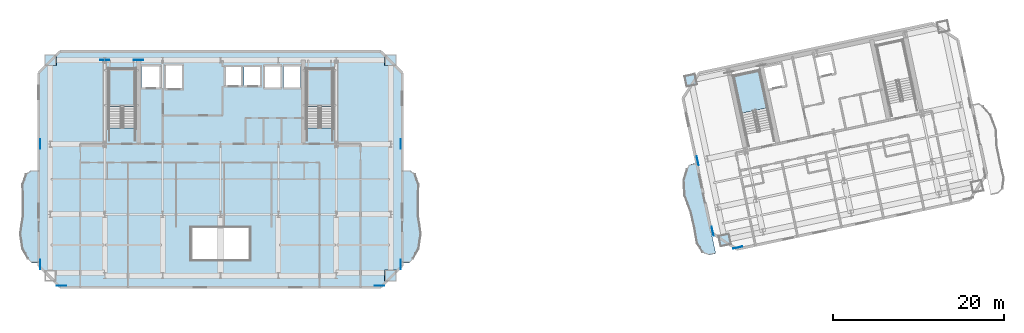
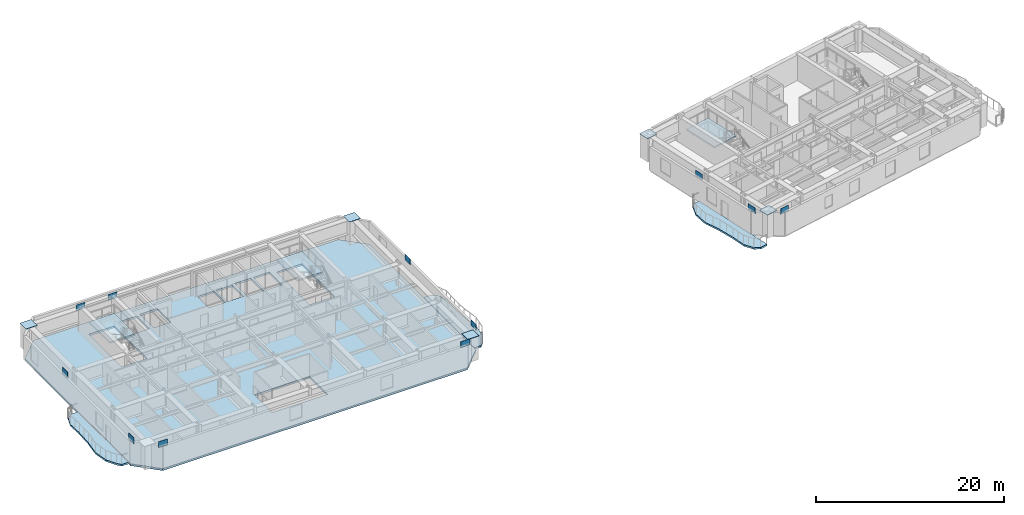
# One storey, part 5 of 15: 16 plates, 7 slabs, 3 elements without a shape of their own.
"""IFC4 building model written with IfcOpenShell, lengths in metres."""

from ifc_helpers import new_model, si_unit, direction, frame, origin, origin_2d, place, context, subcontext, project, spatial, polyline, rectangle, outline, extrude, material, layer, layer_set, type_object, element, aggregate, save


model = new_model("IFC4")

# Units and contexts
model_context = context("Model", 3, precision=1e-05, world=origin(), true_north=direction((0.0, 1.0)))
body_context = subcontext(model_context, "Body", "Model", "MODEL_VIEW")
ifc_project = project(units=[si_unit("LENGTHUNIT", "METRE"), si_unit("AREAUNIT", "SQUARE_METRE"), si_unit("VOLUMEUNIT", "CUBIC_METRE"), si_unit("PLANEANGLEUNIT", "RADIAN"), si_unit("MASSUNIT", "GRAM", prefix="KILO")], contexts=[model_context])

# Site, building, storey
site_placement = place(None, origin())
site = spatial("IfcSite", under=ifc_project, at=site_placement, CompositionType="ELEMENT")
building_placement = place(site_placement, origin())
building = spatial("IfcBuilding", under=site, at=building_placement, Name="Haevon Station Towers", CompositionType="ELEMENT")
storey_placement = place(building_placement, frame((0.0, 0.0, 152.699951171875)))
storey = spatial("IfcBuildingStorey", under=building, at=storey_placement, Name="L41", CompositionType="ELEMENT", Elevation=152.699951171875)

# Plates
ifc_material_1 = material(Name="PL-FLG1", Category="steel")
ifc_layer_1 = layer(ifc_material_1, 0.044921875)
ifc_layer_set_1 = layer_set([ifc_layer_1], Name="PL-FLG1")
plate_type_1 = type_object("IfcPlateType", Name="PL-FLG1", PredefinedType="USERDEFINED", material=ifc_layer_set_1)
for number, where, z_axis, x_axis, name in (
    (1, (17.64990234375, 48.0, 3.050048828125), (0.0, 0.0, 1.0), (1.0, 0.0, 0.0), "PL-CAP-T1-L41-01-04"),
    (2, (57.35009765625, 22.85009765625, 3.050048828125), (0.0, 0.0, 1.0), (1.0, 0.0, 0.0), "PL-CAP-T1-L41-07-01"),
    (3, (57.35009765625, 48.0, 3.050048828125), (0.0, 0.0, 1.0), (1.0, 0.0, 0.0), "PL-CAP-T1-L41-07-04"),
    (4, (96.318603515625, 27.00830078125, 3.050048828125), (0.0, 0.0, 1.0), (0.978147600734, 0.207911690818, 0.0), "PL-CAP-T2-L41-01-01"),
    (5, (92.35791015625, 45.64208984375, 3.050048828125), (0.0, 0.0, 1.0), (0.978147600734, 0.207911690818, 0.0), "PL-CAP-T2-L41-01-04"),
):
    element("IfcPlate", number, at=place(storey_placement, frame(where, z_axis=z_axis, x_axis=x_axis)), inside=storey, type_object=plate_type_1, Name=name, ObjectType="FLANGE_PLATE", PredefinedType="USERDEFINED", context=body_context, shape_type="SweptSolid", body=[
        extrude(rectangle(XDim=1.389892578125, YDim=1.2900390625, at=origin_2d()), origin(), (0.0, 0.0, 1.0), 0.0400390625),
    ])
ifc_material_2 = material(Name="PL-SPL1", Category="steel")
ifc_layer_2 = layer(ifc_material_2, 0.031982421875)
ifc_layer_set_2 = layer_set([ifc_layer_2], Name="PL-SPL1")
plate_type_2 = type_object("IfcPlateType", Name="PL-SPL1", PredefinedType="USERDEFINED", material=ifc_layer_set_2)
for number, where, z_axis, x_axis, name in (
    (6, (18.949951171875, 21.679931640625, 2.775146484375), (0.0, 0.0, 1.0), (1.0, 0.0, 0.0), "PL-T1SPL-T05-S-3"),
    (7, (56.050048828125, 21.679931640625, 2.775146484375), (0.0, 0.0, 1.0), (1.0, 0.0, 0.0), "PL-T1SPL-T05-S-4"),
    (8, (24.0, 48.0, 2.775146484375), (0.0, 0.0, 1.0), (1.0, 0.0, 0.0), "PL-T1SPL-T05-N-3"),
    (9, (27.949951171875, 48.0, 2.775146484375), (0.0, 0.0, 1.0), (1.0, 0.0, 0.0), "PL-T1SPL-T05-N-4"),
    (10, (16.47998046875, 24.14990234375, 2.775146484375), (0.0, 0.0, 1.0), (0.0, 1.0, 0.0), "PL-T1SPL-T05-W-3"),
    (11, (16.47998046875, 38.199951171875, 2.775146484375), (0.0, 0.0, 1.0), (0.0, 1.0, 0.0), "PL-T1SPL-T05-W-4"),
    (12, (58.52001953125, 24.14990234375, 2.775146484375), (0.0, 0.0, 1.0), (0.0, 1.0, 0.0), "PL-T1SPL-T05-E-3"),
    (13, (58.52001953125, 38.199951171875, 2.775146484375), (0.0, 0.0, 1.0), (0.0, 1.0, 0.0), "PL-T1SPL-T05-E-4"),
    (14, (97.833251953125, 26.13427734375, 2.775146484375), (0.0, 0.0, 1.0), (0.978147600734, 0.207911690818, 0.0), "PL-T2SPL-T05-S-3"),
    (15, (94.90380859375, 28.03662109375, 2.775146484375), (0.0, 0.0, 1.0), (-0.207911690818, 0.978147600734, 0.0), "PL-T2SPL-T05-W-3"),
    (16, (93.1572265625, 36.253173828125, 2.775146484375), (0.0, 0.0, 1.0), (-0.207911690818, 0.978147600734, 0.0), "PL-T2SPL-T05-W-4"),
):
    element("IfcPlate", number, at=place(storey_placement, frame(where, z_axis=z_axis, x_axis=x_axis)), inside=storey, type_object=plate_type_2, Name=name, ObjectType="SPLICE_PLATE", PredefinedType="USERDEFINED", context=body_context, shape_type="SweptSolid", body=[
        extrude(rectangle(XDim=1.10009765625, YDim=0.031982421875, at=origin_2d()), origin(), (0.0, 0.0, 1.0), 0.75),
    ])

# Slabs
ifc_material_3 = material(Name="Concrete C40/50", Category="concrete")
ifc_layer_3 = layer(ifc_material_3, 0.219970703125)
ifc_layer_set_3 = layer_set([ifc_layer_3], Name="Concrete C40/50")
slab_type_1 = type_object("IfcSlabType", Name="SL-BALC220", PredefinedType="FLOOR", material=ifc_layer_set_3)
slab_1_placement = place(storey_placement, frame((0.0, 0.0, -0.219970703125)))
element("IfcSlab", 17, at=slab_1_placement, inside=storey, type_object=slab_type_1, Name="Tower 1 L41 West SCALLOPED BALCONY", PredefinedType="FLOOR", context=body_context, shape_type="SweptSolid", body=[
    extrude(outline(polyline([(16.294921875, 35.14990234375), (15.445068359375, 35.14990234375), (14.831787109375, 34.739013671875), (14.40283203125, 33.568359375), (14.459228515625, 31.81640625), (14.37451171875, 29.75), (14.1162109375, 27.68359375), (14.40283203125, 25.931640625), (15.06201171875, 24.760986328125), (15.445068359375, 24.35009765625), (16.294921875, 24.35009765625), (16.294921875, 35.14990234375)])), origin(), (0.0, 0.0, 1.0), 0.219970703125),
])
slab_2_placement = place(storey_placement, frame((0.0, 0.0, -0.219970703125)))
element("IfcSlab", 18, at=slab_2_placement, inside=storey, type_object=slab_type_1, Name="Tower 1 L41 East SCALLOPED BALCONY", PredefinedType="FLOOR", context=body_context, shape_type="SweptSolid", body=[
    extrude(outline(polyline([(58.705078125, 24.35009765625), (59.554931640625, 24.35009765625), (59.93798828125, 24.760986328125), (60.59716796875, 25.931640625), (60.8837890625, 27.68359375), (60.62548828125, 29.75), (60.540771484375, 31.81640625), (60.59716796875, 33.568359375), (60.168212890625, 34.739013671875), (59.554931640625, 35.14990234375), (58.705078125, 35.14990234375), (58.705078125, 24.35009765625)])), origin(), (0.0, 0.0, 1.0), 0.219970703125),
])
slab_3_placement = place(storey_placement, frame((0.0, 0.0, -0.219970703125)))
element("IfcSlab", 19, at=slab_3_placement, inside=storey, type_object=slab_type_1, Name="Tower 2 L41 West SCALLOPED BALCONY", PredefinedType="FLOOR", context=body_context, shape_type="SweptSolid", body=[
    extrude(outline(polyline([(93.023193359375, 35.99462890625), (92.191650390625, 35.81787109375), (91.902587890625, 35.336181640625), (91.501220703125, 34.05419921875), (91.5849609375, 32.281005859375), (92.267333984375, 30.313232421875), (92.77978515625, 28.3095703125), (93.0888671875, 26.584228515625), (93.751953125, 25.528564453125), (94.437255859375, 25.25390625), (95.2685546875, 25.4306640625), (93.023193359375, 35.99462890625)])), origin(), (0.0, 0.0, 1.0), 0.219970703125),
])

# Stair, slab
stair_type = type_object("IfcStairType", Name="STR-DL1450", PredefinedType="USERDEFINED", material=ifc_material_3)
stair_1_placement = place(storey_placement, origin())
stair_1 = element("IfcStair", 20, at=stair_1_placement, inside=storey, type_object=stair_type, Name="L41 Escape Stair ST1", ObjectType="TWO_RETURN_STAIR", PredefinedType="USERDEFINED")
ifc_layer_4 = layer(ifc_material_3, 0.199951171875)
ifc_layer_set_4 = layer_set([ifc_layer_4], Name="Concrete C40/50")
slab_type_2 = type_object("IfcSlabType", Name="SL-LND200", PredefinedType="LANDING", material=ifc_layer_set_4)
slab_4_placement = place(storey_placement, frame((0.0, 0.0, 1.449951171875)))
slab_4 = element("IfcSlab", 21, at=slab_4_placement, type_object=slab_type_2, Name="L41 ST1 Half Landing 1", PredefinedType="LANDING", context=body_context, shape_type="SweptSolid", body=[
    extrude(outline(polyline([(27.580078125, 42.56396484375), (27.580078125, 47.0), (24.47998046875, 47.0), (24.47998046875, 42.56396484375), (27.580078125, 42.56396484375)])), origin(), (0.0, 0.0, 1.0), 0.2001953125),
])
aggregate(stair_1, [slab_4])

stair_2_placement = place(storey_placement, origin())
stair_2 = element("IfcStair", 22, at=stair_2_placement, inside=storey, type_object=stair_type, Name="L41 Escape Stair ST2", ObjectType="TWO_RETURN_STAIR", PredefinedType="USERDEFINED")
slab_5_placement = place(storey_placement, frame((0.0, 0.0, 1.449951171875)))
slab_5 = element("IfcSlab", 23, at=slab_5_placement, type_object=slab_type_2, Name="L41 ST2 Half Landing 1", PredefinedType="LANDING", context=body_context, shape_type="SweptSolid", body=[
    extrude(outline(polyline([(50.6201171875, 42.56396484375), (50.6201171875, 47.0), (47.52001953125, 47.0), (47.52001953125, 42.56396484375), (50.6201171875, 42.56396484375)])), origin(), (0.0, 0.0, 1.0), 0.2001953125),
])
aggregate(stair_2, [slab_5])

stair_3_placement = place(storey_placement, origin())
stair_3 = element("IfcStair", 24, at=stair_3_placement, inside=storey, type_object=stair_type, Name="L41 Escape Stair ST3", ObjectType="TWO_RETURN_STAIR", PredefinedType="USERDEFINED")
slab_6_placement = place(storey_placement, frame((0.0, 0.0, 1.449951171875)))
slab_6 = element("IfcSlab", 25, at=slab_6_placement, type_object=slab_type_2, Name="L41 ST3 Half Landing 1", PredefinedType="LANDING", context=body_context, shape_type="SweptSolid", body=[
    extrude(outline(polyline([(101.2880859375, 42.44287109375), (100.36572265625, 46.781982421875), (97.33349609375, 46.137451171875), (98.255859375, 41.79833984375), (101.2880859375, 42.44287109375)])), origin(), (0.0, 0.0, 1.0), 0.2001953125),
])
aggregate(stair_3, [slab_6])

# Slab
ifc_layer_5 = layer(ifc_material_3, 0.25)
ifc_layer_set_5 = layer_set([ifc_layer_5], Name="Concrete C40/50")
slab_type_3 = type_object("IfcSlabType", Name="SL-TW250", PredefinedType="FLOOR", material=ifc_layer_set_5)
slab_7_placement = place(storey_placement, frame((0.0, 0.0, -0.25)))
element("IfcSlab", 26, at=slab_7_placement, inside=storey, type_object=slab_type_3, Name="SL-T1-L41", PredefinedType="FLOOR", context=body_context, shape_type="SweptSolid", body=[
    extrude(outline(polyline([(18.800048828125, 21.5), (56.199951171875, 21.5), (58.699951171875, 24.0), (58.699951171875, 46.5), (56.199951171875, 49.0), (18.800048828125, 49.0), (16.300048828125, 46.5), (16.300048828125, 24.0), (18.800048828125, 21.5)]), holes=[polyline([(27.580078125, 40.055908203125), (27.580078125, 47.0), (24.47998046875, 47.0), (24.47998046875, 40.055908203125), (27.580078125, 40.055908203125)]), polyline([(50.6201171875, 40.055908203125), (50.6201171875, 47.0), (47.52001953125, 47.0), (47.52001953125, 40.055908203125), (50.6201171875, 40.055908203125)]), polyline([(28.300048828125, 44.699951171875), (30.5, 44.699951171875), (30.5, 47.39990234375), (28.300048828125, 47.39990234375), (28.300048828125, 44.699951171875)]), polyline([(31.050048828125, 44.60009765625), (33.14990234375, 44.60009765625), (33.14990234375, 47.5), (31.050048828125, 47.5), (31.050048828125, 44.60009765625)]), polyline([(38.0, 44.89990234375), (40.0, 44.89990234375), (40.0, 47.300048828125), (38.0, 47.300048828125), (38.0, 44.89990234375)]), polyline([(40.25, 44.89990234375), (42.25, 44.89990234375), (42.25, 47.300048828125), (40.25, 47.300048828125), (40.25, 44.89990234375)]), polyline([(42.60009765625, 44.699951171875), (44.60009765625, 44.699951171875), (44.60009765625, 47.39990234375), (42.60009765625, 47.39990234375), (42.60009765625, 44.699951171875)]), polyline([(44.85009765625, 44.699951171875), (46.85009765625, 44.699951171875), (46.85009765625, 47.39990234375), (44.85009765625, 47.39990234375), (44.85009765625, 44.699951171875)]), polyline([(34.10009765625, 24.699951171875), (40.89990234375, 24.699951171875), (40.89990234375, 28.5), (34.10009765625, 28.5), (34.10009765625, 24.699951171875)])]), origin(), (0.0, 0.0, 1.0), 0.25),
])

save(model, "model.ifc")
